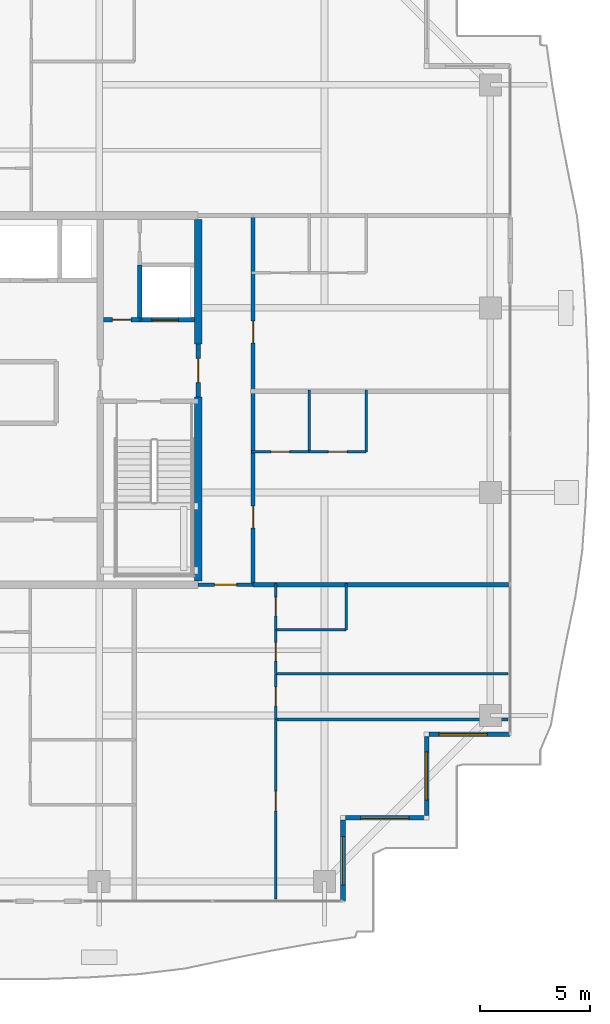
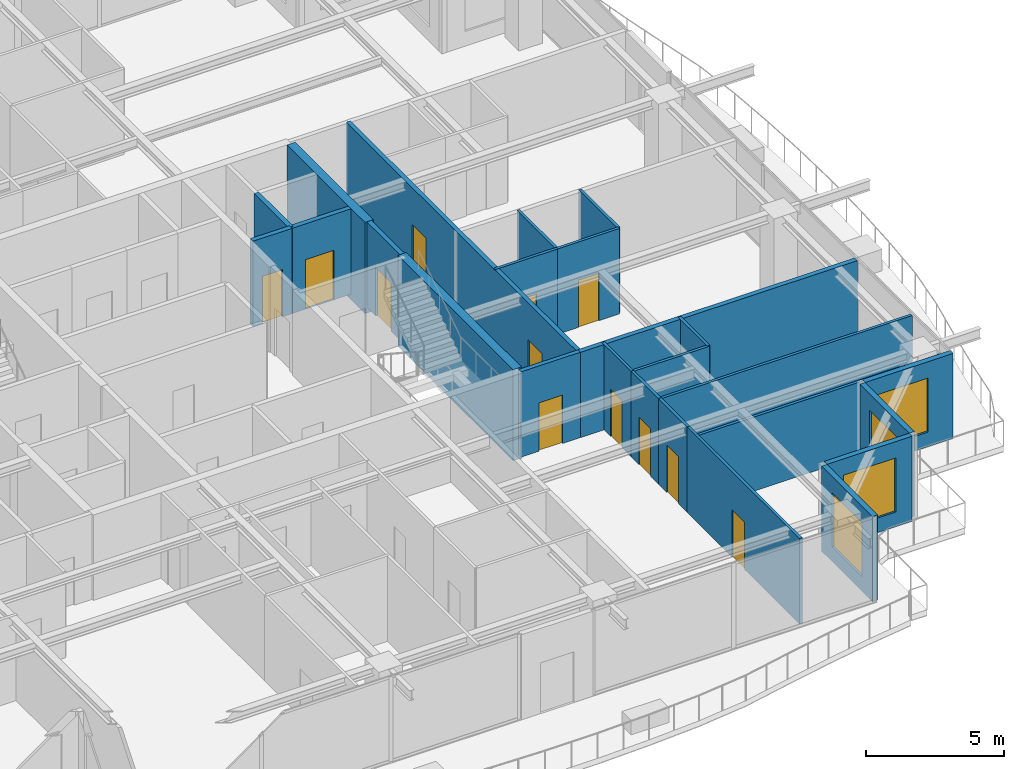
# One storey, part 33 of 42: 25 walls, 12 doors, 4 windows, 16 openings.
"""IFC4 building model written with IfcOpenShell, lengths in metres."""

from ifc_helpers import new_model, si_unit, direction, frame, frame_2d, origin, place, context, subcontext, project, spatial, rectangle, extrude, source, transform, mapped, material, layer, layer_set, type_object, element, fill, save


model = new_model("IFC4")

# Units and contexts
model_context = context("Model", 3, precision=1e-05, world=origin(), true_north=direction((0.0, 1.0)))
body_context = subcontext(model_context, "Body", "Model", "MODEL_VIEW")
ifc_project = project(units=[si_unit("LENGTHUNIT", "METRE"), si_unit("AREAUNIT", "SQUARE_METRE"), si_unit("VOLUMEUNIT", "CUBIC_METRE"), si_unit("PLANEANGLEUNIT", "RADIAN"), si_unit("MASSUNIT", "GRAM", prefix="KILO")], contexts=[model_context])

# Site, building, storey
site_placement = place(None, origin())
site = spatial("IfcSite", under=ifc_project, at=site_placement, CompositionType="ELEMENT")
building_placement = place(site_placement, origin())
building = spatial("IfcBuilding", under=site, at=building_placement, Name="Serunith Strait Residences", CompositionType="ELEMENT")
storey_placement = place(building_placement, frame((0.0, 0.0, 309.64990234375)))
storey = spatial("IfcBuildingStorey", under=building, at=storey_placement, Name="L77", CompositionType="ELEMENT", Elevation=309.64990234375)

# Wall, opening, window
ifc_material_1 = material(Name="Pale-Champagne Aluminium Insulated Panel", Category="aluminium")
ifc_layer_1 = layer(ifc_material_1, 0.219970703125, Name="Pale-Champagne Aluminium Insulated Panel")
ifc_layer_set_1 = layer_set([ifc_layer_1], Name="Pale-Champagne Aluminium Insulated Panel")
wall_type_1 = type_object("IfcWallType", Name="EW-ALUM-220", PredefinedType="ELEMENTEDWALL", material=ifc_layer_set_1)
wall_1_placement = place(storey_placement, frame((48.0, 2.39990234375, 0.0), z_axis=(0.0, 0.0, 1.0), x_axis=(0.0, 1.0, 0.0)))
wall_1 = element("IfcWall", 1, at=wall_1_placement, inside=storey, type_object=wall_type_1, Name="L77 Girih Serrated Corner Wall 02", PredefinedType="ELEMENTEDWALL", context=body_context, shape_type="SweptSolid", body=[
    extrude(rectangle(XDim=3.690185546875, YDim=0.219970703125, at=frame_2d((1.84521484375, 0.0))), origin(), (0.0, 0.0, 1.0), 3.775146484375),
])
opening_1_placement = place(wall_1_placement, frame((0.7451171875, 0.0, 0.64990234375)))
opening_1 = element("IfcOpeningElement", 2, at=opening_1_placement, cuts=wall_1, Name="Opening W-06", PredefinedType="OPENING", context=body_context, shape_type="SweptSolid", body=[
    extrude(rectangle(XDim=2.199951171875, YDim=2.39990234375, at=frame_2d((1.10009765625, 1.199951171875))), frame((0.0, 0.1201171875, 0.0), z_axis=(0.0, -1.0, 0.0), x_axis=(1.0, 0.0, 0.0)), (0.0, 0.0, 1.0), 0.239990234375),
])
ifc_material_2 = material(Name="Crown Penthouse Low-E Operable Window Glass", Category="glass")
window_type = type_object("IfcWindowType", Name="WIN-C6", PartitioningType="TRIPLE_PANEL_VERTICAL", PredefinedType="WINDOW", material=ifc_material_2)
shared_shape_1 = source(origin(), body_context, "Body", "SweptSolid", [
    extrude(rectangle(XDim=2.199951171875, YDim=2.39990234375, at=frame_2d((1.10009765625, 1.199951171875))), frame((0.0, 0.030029296875, 0.0), z_axis=(0.0, -1.0, 0.0), x_axis=(1.0, 0.0, 0.0)), (0.0, 0.0, 1.0), 0.06005859375),
])
window_1_placement = place(opening_1_placement, origin())
window_1 = element("IfcWindow", 3, at=window_1_placement, inside=storey, type_object=window_type, Name="L77 Corner Operable Fritted Window 02", OverallHeight=2.39990234375, OverallWidth=2.199951171875, PartitioningType="SINGLE_PANEL", PredefinedType="WINDOW", context=body_context, shape_type="MappedRepresentation", body=[
    mapped(shared_shape_1, transform((0.0, 0.0, 0.0), scale=1.0)),
])
fill(opening_1, window_1)

wall_2_placement = place(storey_placement, frame((48.110107421875, 6.199951171875, 0.0), z_axis=(0.0, 0.0, 1.0), x_axis=(1.0, 0.0, 0.0)))
wall_2 = element("IfcWall", 4, at=wall_2_placement, inside=storey, type_object=wall_type_1, Name="L77 Girih Serrated Corner Wall 03", PredefinedType="ELEMENTEDWALL", context=body_context, shape_type="SweptSolid", body=[
    extrude(rectangle(XDim=3.579833984375, YDim=0.219970703125, at=frame_2d((1.7900390625, 0.0))), origin(), (0.0, 0.0, 1.0), 3.775146484375),
])
opening_2_placement = place(wall_2_placement, frame((0.68994140625, 0.0, 0.64990234375)))
opening_2 = element("IfcOpeningElement", 5, at=opening_2_placement, cuts=wall_2, Name="Opening W-06", PredefinedType="OPENING", context=body_context, shape_type="SweptSolid", body=[
    extrude(rectangle(XDim=2.199951171875, YDim=2.39990234375, at=frame_2d((1.10009765625, 1.199951171875))), frame((0.0, 0.1201171875, 0.0), z_axis=(0.0, -1.0, 0.0), x_axis=(1.0, 0.0, 0.0)), (0.0, 0.0, 1.0), 0.239990234375),
])
window_2_placement = place(opening_2_placement, origin())
window_2 = element("IfcWindow", 6, at=window_2_placement, inside=storey, type_object=window_type, Name="L77 Corner Operable Fritted Window 03", OverallHeight=2.39990234375, OverallWidth=2.199951171875, PartitioningType="SINGLE_PANEL", PredefinedType="WINDOW", context=body_context, shape_type="MappedRepresentation", body=[
    mapped(shared_shape_1, transform((0.0, 0.0, 0.0), scale=1.0)),
])
fill(opening_2, window_2)

wall_3_placement = place(storey_placement, frame((51.800048828125, 6.31005859375, 0.0), z_axis=(0.0, 0.0, 1.0), x_axis=(0.0, 1.0, 0.0)))
wall_3 = element("IfcWall", 7, at=wall_3_placement, inside=storey, type_object=wall_type_1, Name="L77 Girih Serrated Corner Wall 04", PredefinedType="ELEMENTEDWALL", context=body_context, shape_type="SweptSolid", body=[
    extrude(rectangle(XDim=3.579833984375, YDim=0.219970703125, at=frame_2d((1.7900390625, 0.0))), origin(), (0.0, 0.0, 1.0), 3.775146484375),
])
opening_3_placement = place(wall_3_placement, frame((0.68994140625, 0.0, 0.64990234375)))
opening_3 = element("IfcOpeningElement", 8, at=opening_3_placement, cuts=wall_3, Name="Opening W-06", PredefinedType="OPENING", context=body_context, shape_type="SweptSolid", body=[
    extrude(rectangle(XDim=2.199951171875, YDim=2.39990234375, at=frame_2d((1.10009765625, 1.199951171875))), frame((0.0, 0.1201171875, 0.0), z_axis=(0.0, -1.0, 0.0), x_axis=(1.0, 0.0, 0.0)), (0.0, 0.0, 1.0), 0.239990234375),
])
window_3_placement = place(opening_3_placement, origin())
window_3 = element("IfcWindow", 9, at=window_3_placement, inside=storey, type_object=window_type, Name="L77 Corner Operable Fritted Window 04", OverallHeight=2.39990234375, OverallWidth=2.199951171875, PartitioningType="SINGLE_PANEL", PredefinedType="WINDOW", context=body_context, shape_type="MappedRepresentation", body=[
    mapped(shared_shape_1, transform((0.0, 0.0, 0.0), scale=1.0)),
])
fill(opening_3, window_3)

wall_4_placement = place(storey_placement, frame((51.909912109375, 10.0, 0.0), z_axis=(0.0, 0.0, 1.0), x_axis=(1.0, 0.0, 0.0)))
wall_4 = element("IfcWall", 10, at=wall_4_placement, inside=storey, type_object=wall_type_1, Name="L77 Girih Serrated Corner Wall 05", PredefinedType="ELEMENTEDWALL", context=body_context, shape_type="SweptSolid", body=[
    extrude(rectangle(XDim=3.690185546875, YDim=0.219970703125, at=frame_2d((1.84521484375, 0.0))), origin(), (0.0, 0.0, 1.0), 3.775146484375),
])
opening_4_placement = place(wall_4_placement, frame((0.447021484375, 0.0, 0.64990234375)))
opening_4 = element("IfcOpeningElement", 11, at=opening_4_placement, cuts=wall_4, Name="Opening W-06", PredefinedType="OPENING", context=body_context, shape_type="SweptSolid", body=[
    extrude(rectangle(XDim=2.199951171875, YDim=2.39990234375, at=frame_2d((1.10009765625, 1.199951171875))), frame((0.0, 0.1201171875, 0.0), z_axis=(0.0, -1.0, 0.0), x_axis=(1.0, 0.0, 0.0)), (0.0, 0.0, 1.0), 0.239990234375),
])
window_4_placement = place(opening_4_placement, origin())
window_4 = element("IfcWindow", 12, at=window_4_placement, inside=storey, type_object=window_type, Name="L77 Corner Operable Fritted Window 05", OverallHeight=2.39990234375, OverallWidth=2.199951171875, PartitioningType="SINGLE_PANEL", PredefinedType="WINDOW", context=body_context, shape_type="MappedRepresentation", body=[
    mapped(shared_shape_1, transform((0.0, 0.0, 0.0), scale=1.0)),
])
fill(opening_4, window_4)

# Wall, opening, door
ifc_material_3 = material(Name="Fire-rated acoustic gypsum partition")
ifc_layer_2 = layer(ifc_material_3, 0.179931640625, Name="Fire-rated acoustic gypsum partition")
ifc_layer_set_2 = layer_set([ifc_layer_2], Name="Fire-rated acoustic gypsum partition")
wall_type_2 = type_object("IfcWallType", Name="IW-CORR-180", PredefinedType="PARTITIONING", material=ifc_layer_set_2)
wall_5_placement = place(storey_placement, frame((41.402099609375, 16.800048828125, 0.0), z_axis=(0.0, 0.0, 1.0), x_axis=(1.0, 0.0, 0.0)))
wall_5 = element("IfcWall", 13, at=wall_5_placement, inside=storey, type_object=wall_type_2, Name="L77 Partition Wall 027", PredefinedType="PARTITIONING", context=body_context, shape_type="SweptSolid", body=[
    extrude(rectangle(XDim=2.495849609375, YDim=0.179931640625, at=frame_2d((1.248046875, 0.0))), origin(), (0.0, 0.0, 1.0), 3.7900390625),
])
opening_5_placement = place(wall_5_placement, frame((0.748046875, 0.0, 0.0)))
opening_5 = element("IfcOpeningElement", 14, at=opening_5_placement, cuts=wall_5, Name="Opening D-APT1000", PredefinedType="OPENING", context=body_context, shape_type="SweptSolid", body=[
    extrude(rectangle(XDim=1.0, YDim=2.14990234375, at=frame_2d((0.5, 1.074951171875))), frame((0.0, 0.10009765625, 0.0), z_axis=(0.0, -1.0, 0.0), x_axis=(1.0, 0.0, 0.0)), (0.0, 0.0, 1.0), 0.199951171875),
])
ifc_material_4 = material(Name="Solid timber engineered fire door", Category="wood")
door_type_1 = type_object("IfcDoorType", Name="ID-APT-1000", OperationType="NOTDEFINED", PredefinedType="DOOR", material=ifc_material_4)
shared_shape_2 = source(origin(), body_context, "Body", "SweptSolid", [
    extrude(rectangle(XDim=1.0, YDim=2.14990234375, at=frame_2d((0.5, 1.074951171875))), frame((0.0, 0.02490234375, 0.0), z_axis=(0.0, -1.0, 0.0), x_axis=(1.0, 0.0, 0.0)), (0.0, 0.0, 1.0), 0.050048828125),
])
door_1_placement = place(opening_5_placement, origin())
door_1 = element("IfcDoor", 15, at=door_1_placement, inside=storey, type_object=door_type_1, Name="L77 Unit 02 Entrance Door", OperationType="SINGLE_SWING_LEFT", OverallHeight=2.14990234375, OverallWidth=1.0, PredefinedType="DOOR", context=body_context, shape_type="MappedRepresentation", body=[
    mapped(shared_shape_2, transform((0.0, 0.0, 0.0), scale=1.0)),
])
fill(opening_5, door_1)

# Wall, openings, doors
wall_6_placement = place(storey_placement, frame((43.89990234375, 16.800048828125, 0.0), z_axis=(0.0, 0.0, 1.0), x_axis=(0.0, 1.0, 0.0)))
wall_6 = element("IfcWall", 16, at=wall_6_placement, inside=storey, type_object=wall_type_2, Name="L77 Partition Wall 029", PredefinedType="PARTITIONING", context=body_context, shape_type="SweptSolid", body=[
    extrude(rectangle(XDim=16.800048828125, YDim=0.179931640625, at=frame_2d((8.39990234375, 0.0))), origin(), (0.0, 0.0, 1.0), 3.7900390625),
])
opening_6_placement = place(wall_6_placement, frame((2.574951171875, 0.0, 0.0)))
opening_6 = element("IfcOpeningElement", 17, at=opening_6_placement, cuts=wall_6, Name="Opening D-APT1000", PredefinedType="OPENING", context=body_context, shape_type="SweptSolid", body=[
    extrude(rectangle(XDim=1.0, YDim=2.14990234375, at=frame_2d((0.5, 1.074951171875))), frame((0.0, 0.10009765625, 0.0), z_axis=(0.0, -1.0, 0.0), x_axis=(1.0, 0.0, 0.0)), (0.0, 0.0, 1.0), 0.199951171875),
])
opening_7_placement = place(wall_6_placement, frame((10.9970703125, 0.0, 0.0)))
opening_7 = element("IfcOpeningElement", 18, at=opening_7_placement, cuts=wall_6, Name="Opening D-APT1000", PredefinedType="OPENING", context=body_context, shape_type="SweptSolid", body=[
    extrude(rectangle(XDim=1.0, YDim=2.14990234375, at=frame_2d((0.5, 1.074951171875))), frame((0.0, 0.10009765625, 0.0), z_axis=(0.0, -1.0, 0.0), x_axis=(1.0, 0.0, 0.0)), (0.0, 0.0, 1.0), 0.199951171875),
])
door_2_placement = place(opening_6_placement, origin())
door_2 = element("IfcDoor", 19, at=door_2_placement, inside=storey, type_object=door_type_1, Name="L77 Unit 05 Entrance Door", OperationType="SINGLE_SWING_RIGHT", OverallHeight=2.14990234375, OverallWidth=1.0, PredefinedType="DOOR", context=body_context, shape_type="MappedRepresentation", body=[
    mapped(shared_shape_2, transform((0.0, 0.0, 0.0), scale=1.0)),
])
fill(opening_6, door_2)
door_3_placement = place(opening_7_placement, origin())
door_3 = element("IfcDoor", 20, at=door_3_placement, inside=storey, type_object=door_type_1, Name="L77 Unit 06 Entrance Door", OperationType="SINGLE_SWING_LEFT", OverallHeight=2.14990234375, OverallWidth=1.0, PredefinedType="DOOR", context=body_context, shape_type="MappedRepresentation", body=[
    mapped(shared_shape_2, transform((0.0, 0.0, 0.0), scale=1.0)),
])
fill(opening_7, door_3)

# Wall, opening, door
ifc_material_5 = material(Name="Lightweight steel-stud gypsum partition", Category="steel")
ifc_layer_3 = layer(ifc_material_5, 0.1201171875, Name="Lightweight steel-stud gypsum partition")
ifc_layer_set_3 = layer_set([ifc_layer_3], Name="Lightweight steel-stud gypsum partition")
wall_type_3 = type_object("IfcWallType", Name="IW-PART-120", PredefinedType="PARTITIONING", material=ifc_layer_set_3)
wall_7_placement = place(storey_placement, frame((44.93994140625, 2.4951171875, 0.0), z_axis=(0.0, 0.0, 1.0), x_axis=(0.0, 1.0, 0.0)))
wall_7 = element("IfcWall", 21, at=wall_7_placement, inside=storey, type_object=wall_type_3, Name="L77 Partition Wall 051", PredefinedType="PARTITIONING", context=body_context, shape_type="SweptSolid", body=[
    extrude(rectangle(XDim=8.177001953125, YDim=0.1201171875, at=frame_2d((4.08837890625, 0.0))), origin(), (0.0, 0.0, 1.0), 3.7900390625),
])
opening_8_placement = place(wall_7_placement, frame((4.001953125, 0.0, 0.0)))
opening_8 = element("IfcOpeningElement", 22, at=opening_8_placement, cuts=wall_7, Name="Opening D-RM900", PredefinedType="OPENING", context=body_context, shape_type="SweptSolid", body=[
    extrude(rectangle(XDim=0.89990234375, YDim=2.10009765625, at=frame_2d((0.449951171875, 1.050048828125))), frame((0.0, 0.070068359375, 0.0), z_axis=(0.0, -1.0, 0.0), x_axis=(1.0, 0.0, 0.0)), (0.0, 0.0, 1.0), 0.14013671875),
])
ifc_material_6 = material(Name="Engineered timber flush bedroom door", Category="wood")
door_type_2 = type_object("IfcDoorType", Name="ID-ROOM-900", OperationType="NOTDEFINED", PredefinedType="DOOR", material=ifc_material_6)
shared_shape_3 = source(origin(), body_context, "Body", "SweptSolid", [
    extrude(rectangle(XDim=0.89990234375, YDim=2.10009765625, at=frame_2d((0.449951171875, 1.050048828125))), frame((0.0, 0.02490234375, 0.0), z_axis=(0.0, -1.0, 0.0), x_axis=(1.0, 0.0, 0.0)), (0.0, 0.0, 1.0), 0.050048828125),
])
door_4_placement = place(opening_8_placement, origin())
door_4 = element("IfcDoor", 23, at=door_4_placement, inside=storey, type_object=door_type_2, Name="L77 Master Bedroom 1 7702 Door", OperationType="SINGLE_SWING_LEFT", OverallHeight=2.10009765625, OverallWidth=0.89990234375, PredefinedType="DOOR", context=body_context, shape_type="MappedRepresentation", body=[
    mapped(shared_shape_3, transform((0.0, 0.0, 0.0), scale=1.0)),
])
fill(opening_8, door_4)

# Walls
wall_8_placement = place(storey_placement, frame((44.93994140625, 10.672119140625, 0.0), z_axis=(0.0, 0.0, 1.0), x_axis=(1.0, 0.0, 0.0)))
element("IfcWall", 24, at=wall_8_placement, inside=storey, type_object=wall_type_3, Name="L77 Partition Wall 052", PredefinedType="PARTITIONING", context=body_context, shape_type="SweptSolid", body=[
    extrude(rectangle(XDim=10.56494140625, YDim=0.1201171875, at=frame_2d((5.282470703125, 0.0))), origin(), (0.0, 0.0, 1.0), 3.2919921875),
])
wall_9_placement = place(storey_placement, frame((44.93994140625, 12.75, 0.0), z_axis=(0.0, 0.0, 1.0), x_axis=(1.0, 0.0, 0.0)))
element("IfcWall", 25, at=wall_9_placement, inside=storey, type_object=wall_type_3, Name="L77 Partition Wall 053", PredefinedType="PARTITIONING", context=body_context, shape_type="SweptSolid", body=[
    extrude(rectangle(XDim=10.56494140625, YDim=0.1201171875, at=frame_2d((5.282470703125, 0.0))), origin(), (0.0, 0.0, 1.0), 3.7900390625),
])
wall_10_placement = place(storey_placement, frame((44.93994140625, 14.75, 0.0), z_axis=(0.0, 0.0, 1.0), x_axis=(1.0, 0.0, 0.0)))
element("IfcWall", 26, at=wall_10_placement, inside=storey, type_object=wall_type_3, Name="L77 Partition Wall 054", PredefinedType="PARTITIONING", context=body_context, shape_type="SweptSolid", body=[
    extrude(rectangle(XDim=3.199951171875, YDim=0.1201171875, at=frame_2d((1.60009765625, 0.0))), origin(), (0.0, 0.0, 1.0), 3.7900390625),
])
wall_11_placement = place(storey_placement, frame((48.139892578125, 14.75, 0.0), z_axis=(0.0, 0.0, 1.0), x_axis=(0.0, 1.0, 0.0)))
element("IfcWall", 27, at=wall_11_placement, inside=storey, type_object=wall_type_3, Name="L77 Partition Wall 055", PredefinedType="PARTITIONING", context=body_context, shape_type="SweptSolid", body=[
    extrude(rectangle(XDim=2.110107421875, YDim=0.1201171875, at=frame_2d((1.05517578125, 0.0))), origin(), (0.0, 0.0, 1.0), 3.7900390625),
])

# Wall, opening, door
wall_12_placement = place(storey_placement, frame((44.93994140625, 10.674072265625, 0.0), z_axis=(0.0, 0.0, 1.0), x_axis=(0.0, 1.0, 0.0)))
wall_12 = element("IfcWall", 28, at=wall_12_placement, inside=storey, type_object=wall_type_3, Name="L77 Partition Wall 056", PredefinedType="PARTITIONING", context=body_context, shape_type="SweptSolid", body=[
    extrude(rectangle(XDim=2.075927734375, YDim=0.1201171875, at=frame_2d((1.0380859375, 0.0))), origin(), (0.0, 0.0, 1.0), 3.7900390625),
])
opening_9_placement = place(wall_12_placement, frame((0.613037109375, 0.0, 0.0)))
opening_9 = element("IfcOpeningElement", 29, at=opening_9_placement, cuts=wall_12, Name="Opening D-RM850", PredefinedType="OPENING", context=body_context, shape_type="SweptSolid", body=[
    extrude(rectangle(XDim=0.85009765625, YDim=2.10009765625, at=frame_2d((0.425048828125, 1.050048828125))), frame((0.0, 0.070068359375, 0.0), z_axis=(0.0, -1.0, 0.0), x_axis=(1.0, 0.0, 0.0)), (0.0, 0.0, 1.0), 0.14013671875),
])
ifc_material_7 = material(Name="Engineered timber flush study and kitchen door", Category="wood")
door_type_3 = type_object("IfcDoorType", Name="ID-ROOM-850", OperationType="NOTDEFINED", PredefinedType="DOOR", material=ifc_material_7)
shared_shape_4 = source(origin(), body_context, "Body", "SweptSolid", [
    extrude(rectangle(XDim=0.85009765625, YDim=2.10009765625, at=frame_2d((0.425048828125, 1.050048828125))), frame((0.0, 0.02490234375, 0.0), z_axis=(0.0, -1.0, 0.0), x_axis=(1.0, 0.0, 0.0)), (0.0, 0.0, 1.0), 0.050048828125),
])
door_5_placement = place(opening_9_placement, origin())
door_5 = element("IfcDoor", 30, at=door_5_placement, inside=storey, type_object=door_type_3, Name="L77 Dining 7702 Door", OperationType="SINGLE_SWING_RIGHT", OverallHeight=2.10009765625, OverallWidth=0.85009765625, PredefinedType="DOOR", context=body_context, shape_type="MappedRepresentation", body=[
    mapped(shared_shape_4, transform((0.0, 0.0, 0.0), scale=1.0)),
])
fill(opening_9, door_5)

wall_13_placement = place(storey_placement, frame((44.93994140625, 12.751953125, 0.0), z_axis=(0.0, 0.0, 1.0), x_axis=(0.0, 1.0, 0.0)))
wall_13 = element("IfcWall", 31, at=wall_13_placement, inside=storey, type_object=wall_type_3, Name="L77 Partition Wall 057", PredefinedType="PARTITIONING", context=body_context, shape_type="SweptSolid", body=[
    extrude(rectangle(XDim=1.998046875, YDim=0.1201171875, at=frame_2d((0.9990234375, 0.0))), origin(), (0.0, 0.0, 1.0), 3.7900390625),
])
opening_10_placement = place(wall_13_placement, frame((0.573974609375, 0.0, 0.0)))
opening_10 = element("IfcOpeningElement", 32, at=opening_10_placement, cuts=wall_13, Name="Opening D-RM850", PredefinedType="OPENING", context=body_context, shape_type="SweptSolid", body=[
    extrude(rectangle(XDim=0.85009765625, YDim=2.10009765625, at=frame_2d((0.425048828125, 1.050048828125))), frame((0.0, 0.070068359375, 0.0), z_axis=(0.0, -1.0, 0.0), x_axis=(1.0, 0.0, 0.0)), (0.0, 0.0, 1.0), 0.14013671875),
])
door_6_placement = place(opening_10_placement, origin())
door_6 = element("IfcDoor", 33, at=door_6_placement, inside=storey, type_object=door_type_3, Name="L77 Kitchen 7702 Door", OperationType="SINGLE_SWING_LEFT", OverallHeight=2.10009765625, OverallWidth=0.85009765625, PredefinedType="DOOR", context=body_context, shape_type="MappedRepresentation", body=[
    mapped(shared_shape_4, transform((0.0, 0.0, 0.0), scale=1.0)),
])
fill(opening_10, door_6)

wall_14_placement = place(storey_placement, frame((44.93994140625, 14.751953125, 0.0), z_axis=(0.0, 0.0, 1.0), x_axis=(0.0, 1.0, 0.0)))
wall_14 = element("IfcWall", 34, at=wall_14_placement, inside=storey, type_object=wall_type_3, Name="L77 Partition Wall 058", PredefinedType="PARTITIONING", context=body_context, shape_type="SweptSolid", body=[
    extrude(rectangle(XDim=2.108154296875, YDim=0.1201171875, at=frame_2d((1.05419921875, 0.0))), origin(), (0.0, 0.0, 1.0), 3.7900390625),
])
opening_11_placement = place(wall_14_placement, frame((0.62890625, 0.0, 0.0)))
opening_11 = element("IfcOpeningElement", 35, at=opening_11_placement, cuts=wall_14, Name="Opening D-BTH850", PredefinedType="OPENING", context=body_context, shape_type="SweptSolid", body=[
    extrude(rectangle(XDim=0.85009765625, YDim=2.10009765625, at=frame_2d((0.425048828125, 1.050048828125))), frame((0.0, 0.070068359375, 0.0), z_axis=(0.0, -1.0, 0.0), x_axis=(1.0, 0.0, 0.0)), (0.0, 0.0, 1.0), 0.14013671875),
])
ifc_material_8 = material(Name="Moisture-resistant timber bathroom door", Category="wood")
door_type_4 = type_object("IfcDoorType", Name="ID-BATH-850", OperationType="NOTDEFINED", PredefinedType="DOOR", material=ifc_material_8)
door_7_placement = place(opening_11_placement, origin())
door_7 = element("IfcDoor", 36, at=door_7_placement, inside=storey, type_object=door_type_4, Name="L77 Bathroom 7702 Door", OperationType="SINGLE_SWING_RIGHT", OverallHeight=2.10009765625, OverallWidth=0.85009765625, PredefinedType="DOOR", context=body_context, shape_type="MappedRepresentation", body=[
    mapped(shared_shape_4, transform((0.0, 0.0, 0.0), scale=1.0)),
])
fill(opening_11, door_7)

wall_15_placement = place(storey_placement, frame((49.050048828125, 22.85009765625, 0.0), z_axis=(0.0, 0.0, 1.0), x_axis=(-1.0, 0.0, 0.0)))
wall_15 = element("IfcWall", 37, at=wall_15_placement, inside=storey, type_object=wall_type_3, Name="L77 Partition Wall 089", PredefinedType="PARTITIONING", context=body_context, shape_type="SweptSolid", body=[
    extrude(rectangle(XDim=2.60009765625, YDim=0.1201171875, at=frame_2d((1.300048828125, 0.0))), origin(), (0.0, 0.0, 1.0), 3.7900390625),
])
opening_12_placement = place(wall_15_placement, frame((0.875, 0.0, 0.0)))
opening_12 = element("IfcOpeningElement", 38, at=opening_12_placement, cuts=wall_15, Name="Opening D-RM850", PredefinedType="OPENING", context=body_context, shape_type="SweptSolid", body=[
    extrude(rectangle(XDim=0.85009765625, YDim=2.10009765625, at=frame_2d((0.425048828125, 1.050048828125))), frame((0.0, 0.070068359375, 0.0), z_axis=(0.0, -1.0, 0.0), x_axis=(1.0, 0.0, 0.0)), (0.0, 0.0, 1.0), 0.14013671875),
])
door_8_placement = place(opening_12_placement, origin())
door_8 = element("IfcDoor", 39, at=door_8_placement, inside=storey, type_object=door_type_3, Name="L77 Kitchen 7705 Door", OperationType="SINGLE_SWING_RIGHT", OverallHeight=2.10009765625, OverallWidth=0.85009765625, PredefinedType="DOOR", context=body_context, shape_type="MappedRepresentation", body=[
    mapped(shared_shape_4, transform((0.0, 0.0, 0.0), scale=1.0)),
])
fill(opening_12, door_8)

wall_16_placement = place(storey_placement, frame((46.447998046875, 22.85009765625, 0.0), z_axis=(0.0, 0.0, 1.0), x_axis=(-1.0, 0.0, 0.0)))
wall_16 = element("IfcWall", 40, at=wall_16_placement, inside=storey, type_object=wall_type_3, Name="L77 Partition Wall 090", PredefinedType="PARTITIONING", context=body_context, shape_type="SweptSolid", body=[
    extrude(rectangle(XDim=2.60791015625, YDim=0.1201171875, at=frame_2d((1.303955078125, 0.0))), origin(), (0.0, 0.0, 1.0), 3.7900390625),
])
opening_13_placement = place(wall_16_placement, frame((0.87890625, 0.0, 0.0)))
opening_13 = element("IfcOpeningElement", 41, at=opening_13_placement, cuts=wall_16, Name="Opening D-BTH850", PredefinedType="OPENING", context=body_context, shape_type="SweptSolid", body=[
    extrude(rectangle(XDim=0.85009765625, YDim=2.10009765625, at=frame_2d((0.425048828125, 1.050048828125))), frame((0.0, 0.070068359375, 0.0), z_axis=(0.0, -1.0, 0.0), x_axis=(1.0, 0.0, 0.0)), (0.0, 0.0, 1.0), 0.14013671875),
])
door_9_placement = place(opening_13_placement, origin())
door_9 = element("IfcDoor", 42, at=door_9_placement, inside=storey, type_object=door_type_4, Name="L77 Bathroom 7705 Door", OperationType="SINGLE_SWING_LEFT", OverallHeight=2.10009765625, OverallWidth=0.85009765625, PredefinedType="DOOR", context=body_context, shape_type="MappedRepresentation", body=[
    mapped(shared_shape_4, transform((0.0, 0.0, 0.0), scale=1.0)),
])
fill(opening_13, door_9)

# Walls
for number, where, z_axis, x_axis, name in (
    (43, (46.449951171875, 22.85009765625, 0.0), (0.0, 0.0, 1.0), (0.0, 1.0, 0.0), "L77 Partition Wall 091"),
    (44, (49.050048828125, 22.85009765625, 0.0), (0.0, 0.0, 1.0), (0.0, 1.0, 0.0), "L77 Partition Wall 092"),
):
    element("IfcWall", number, at=place(storey_placement, frame(where, z_axis=z_axis, x_axis=x_axis)), inside=storey, type_object=wall_type_3, Name=name, PredefinedType="PARTITIONING", context=body_context, shape_type="SweptSolid", body=[
        extrude(rectangle(XDim=2.809814453125, YDim=0.1201171875, at=frame_2d((1.40478515625, 0.0))), origin(), (0.0, 0.0, 1.0), 3.7900390625),
    ])
ifc_material_9 = material(Name="Twin-stud acoustic gypsum board partition")
ifc_layer_4 = layer(ifc_material_9, 0.199951171875, Name="Twin-stud acoustic gypsum board partition")
ifc_layer_set_4 = layer_set([ifc_layer_4], Name="Twin-stud acoustic gypsum board partition")
wall_type_4 = type_object("IfcWallType", Name="IW-PARTY-200", PredefinedType="PARTITIONING", material=ifc_layer_set_4)
wall_17_placement = place(storey_placement, frame((43.89990234375, 16.800048828125, 0.0), z_axis=(0.0, 0.0, 1.0), x_axis=(1.0, 0.0, 0.0)))
element("IfcWall", 45, at=wall_17_placement, inside=storey, type_object=wall_type_4, Name="L77 Partition Wall 021", PredefinedType="PARTITIONING", context=body_context, shape_type="SweptSolid", body=[
    extrude(rectangle(XDim=11.6181640625, YDim=0.199951171875, at=frame_2d((5.80908203125, 0.0))), origin(), (0.0, 0.0, 1.0), 3.7900390625),
])

# Wall, opening, door
ifc_material_10 = material(Name="Autoclaved aerated concrete blockwork", Category="masonry")
ifc_layer_5 = layer(ifc_material_10, 0.199951171875, Name="Autoclaved aerated concrete blockwork")
ifc_layer_set_5 = layer_set([ifc_layer_5], Name="Autoclaved aerated concrete blockwork")
wall_type_5 = type_object("IfcWallType", Name="IW-SHAFT-200", PredefinedType="STANDARD", material=ifc_layer_set_5)
wall_18_placement = place(storey_placement, frame((38.75, 28.85009765625, 0.0), z_axis=(0.0, 0.0, 1.0), x_axis=(1.0, 0.0, 0.0)))
wall_18 = element("IfcWall", 46, at=wall_18_placement, inside=storey, type_object=wall_type_5, Name="L77 FL-2 South Shaft Wall", PredefinedType="STANDARD", context=body_context, shape_type="SweptSolid", body=[
    extrude(rectangle(XDim=2.47509765625, YDim=0.199951171875, at=frame_2d((1.237548828125, 0.0))), origin(), (0.0, 0.0, 1.0), 3.7900390625),
])
opening_14_placement = place(wall_18_placement, frame((0.550048828125, 0.0, 0.0)))
opening_14 = element("IfcOpeningElement", 47, at=opening_14_placement, cuts=wall_18, Name="Opening LD-FF1200", PredefinedType="OPENING", context=body_context, shape_type="SweptSolid", body=[
    extrude(rectangle(XDim=1.199951171875, YDim=2.199951171875, at=frame_2d((0.60009765625, 1.10009765625))), frame((0.0, 0.10986328125, 0.0), z_axis=(0.0, -1.0, 0.0), x_axis=(1.0, 0.0, 0.0)), (0.0, 0.0, 1.0), 0.219970703125),
])
ifc_material_11 = material(Name="Brushed stainless steel landing door", Category="steel")
door_type_5 = type_object("IfcDoorType", Name="LD-FF-1200", OperationType="DOUBLE_DOOR_SLIDING", PredefinedType="DOOR", material=ifc_material_11)
shared_shape_5 = source(origin(), body_context, "Body", "SweptSolid", [
    extrude(rectangle(XDim=1.199951171875, YDim=2.199951171875, at=frame_2d((0.60009765625, 1.10009765625))), frame((0.0, 0.02490234375, 0.0), z_axis=(0.0, -1.0, 0.0), x_axis=(1.0, 0.0, 0.0)), (0.0, 0.0, 1.0), 0.050048828125),
])
door_10_placement = place(opening_14_placement, origin())
door_10 = element("IfcDoor", 48, at=door_10_placement, inside=storey, type_object=door_type_5, Name="L77 FL-2 Landing Door", OperationType="DOUBLE_DOOR_SLIDING", OverallHeight=2.199951171875, OverallWidth=1.199951171875, PredefinedType="DOOR", context=body_context, shape_type="MappedRepresentation", body=[
    mapped(shared_shape_5, transform((0.0, 0.0, 0.0), scale=1.0)),
])
fill(opening_14, door_10)

# Wall
wall_19_placement = place(storey_placement, frame((38.75, 28.85009765625, 0.0), z_axis=(0.0, 0.0, 1.0), x_axis=(0.0, 1.0, 0.0)))
element("IfcWall", 49, at=wall_19_placement, inside=storey, type_object=wall_type_5, Name="L77 Partition Wall 004", PredefinedType="STANDARD", context=body_context, shape_type="SweptSolid", body=[
    extrude(rectangle(XDim=2.5, YDim=0.199951171875, at=frame_2d((1.25, 0.0))), origin(), (0.0, 0.0, 1.0), 3.7900390625),
])

# Wall, opening, door
wall_20_placement = place(storey_placement, frame((37.10009765625, 28.85009765625, 0.0), z_axis=(0.0, 0.0, 1.0), x_axis=(1.0, 0.0, 0.0)))
wall_20 = element("IfcWall", 50, at=wall_20_placement, inside=storey, type_object=wall_type_5, Name="L77 Partition Wall 006", PredefinedType="STANDARD", context=body_context, shape_type="SweptSolid", body=[
    extrude(rectangle(XDim=1.64794921875, YDim=0.199951171875, at=frame_2d((0.823974609375, 0.0))), origin(), (0.0, 0.0, 1.0), 3.7900390625),
])
opening_15_placement = place(wall_20_placement, frame((0.39892578125, 0.0, 0.0)))
opening_15 = element("IfcOpeningElement", 51, at=opening_15_placement, cuts=wall_20, Name="Opening FD-850", PredefinedType="OPENING", context=body_context, shape_type="SweptSolid", body=[
    extrude(rectangle(XDim=0.85009765625, YDim=2.10009765625, at=frame_2d((0.425048828125, 1.050048828125))), frame((0.0, 0.10986328125, 0.0), z_axis=(0.0, -1.0, 0.0), x_axis=(1.0, 0.0, 0.0)), (0.0, 0.0, 1.0), 0.219970703125),
])
ifc_material_12 = material(Name="Powder-coated steel service closet door", Category="steel")
door_type_6 = type_object("IfcDoorType", Name="FD-BOH-850", OperationType="NOTDEFINED", PredefinedType="DOOR", material=ifc_material_12)
door_11_placement = place(opening_15_placement, origin())
door_11 = element("IfcDoor", 52, at=door_11_placement, inside=storey, type_object=door_type_6, Name="L77 North-East Core Service Door", OperationType="SINGLE_SWING_LEFT", OverallHeight=2.10009765625, OverallWidth=0.85009765625, PredefinedType="DOOR", context=body_context, shape_type="MappedRepresentation", body=[
    mapped(shared_shape_4, transform((0.0, 0.0, 0.0), scale=1.0)),
])
fill(opening_15, door_11)

wall_21_placement = place(storey_placement, frame((41.39990234375, 25.35205078125, 0.0), z_axis=(0.0, 0.0, 1.0), x_axis=(0.0, 1.0, 0.0)))
wall_21 = element("IfcWall", 53, at=wall_21_placement, inside=storey, type_object=wall_type_5, Name="L77 Partition Wall 008", PredefinedType="STANDARD", context=body_context, shape_type="SweptSolid", body=[
    extrude(rectangle(XDim=2.39599609375, YDim=0.199951171875, at=frame_2d((1.197998046875, 0.0))), origin(), (0.0, 0.0, 1.0), 3.7900390625),
])
opening_16_placement = place(wall_21_placement, frame((0.64794921875, 0.0, 0.0)))
opening_16 = element("IfcOpeningElement", 54, at=opening_16_placement, cuts=wall_21, Name="Opening FD-FFL", PredefinedType="OPENING", context=body_context, shape_type="SweptSolid", body=[
    extrude(rectangle(XDim=1.10009765625, YDim=2.14990234375, at=frame_2d((0.550048828125, 1.074951171875))), frame((0.0, 0.10986328125, 0.0), z_axis=(0.0, -1.0, 0.0), x_axis=(1.0, 0.0, 0.0)), (0.0, 0.0, 1.0), 0.219970703125),
])
ifc_material_13 = material(Name="Glazed steel smoke-lobby fire door", Category="steel")
door_type_7 = type_object("IfcDoorType", Name="FD-FFL-1100", OperationType="NOTDEFINED", PredefinedType="DOOR", material=ifc_material_13)
shared_shape_6 = source(origin(), body_context, "Body", "SweptSolid", [
    extrude(rectangle(XDim=1.10009765625, YDim=2.14990234375, at=frame_2d((0.550048828125, 1.074951171875))), frame((0.0, 0.02490234375, 0.0), z_axis=(0.0, -1.0, 0.0), x_axis=(1.0, 0.0, 0.0)), (0.0, 0.0, 1.0), 0.050048828125),
])
door_12_placement = place(opening_16_placement, origin())
door_12 = element("IfcDoor", 55, at=door_12_placement, inside=storey, type_object=door_type_7, Name="L77 FFL-2 Corridor Fire Door", OperationType="SINGLE_SWING_LEFT", OverallHeight=2.14990234375, OverallWidth=1.10009765625, PredefinedType="DOOR", context=body_context, shape_type="MappedRepresentation", body=[
    mapped(shared_shape_6, transform((0.0, 0.0, 0.0), scale=1.0)),
])
fill(opening_16, door_12)

# Walls
ifc_material_14 = material(Name="Concrete C60/75", Category="concrete")
ifc_layer_6 = layer(ifc_material_14, 0.35009765625, Name="Concrete C60/75")
ifc_layer_set_6 = layer_set([ifc_layer_6], Name="Concrete C60/75")
wall_type_6 = type_object("IfcWallType", Name="SW-350-C60", PredefinedType="SHEAR", material=ifc_layer_set_6)
wall_22_placement = place(storey_placement, frame((41.39990234375, 16.97509765625, -0.260009765625), z_axis=(0.0, 0.0, 1.0), x_axis=(0.0, 1.0, 0.0)))
element("IfcWall", 56, at=wall_22_placement, inside=storey, type_object=wall_type_6, Name="L77 Core East Shear Wall South Pier", PredefinedType="SHEAR", context=body_context, shape_type="SweptSolid", body=[
    extrude(rectangle(XDim=8.375, YDim=0.35009765625, at=frame_2d((4.1875, 0.0))), origin(), (0.0, 0.0, 1.0), 4.048095703125),
])
wall_23_placement = place(storey_placement, frame((41.39990234375, 27.75, -0.260009765625), z_axis=(0.0, 0.0, 1.0), x_axis=(0.0, 1.0, 0.0)))
element("IfcWall", 57, at=wall_23_placement, inside=storey, type_object=wall_type_6, Name="L77 Core East Shear Wall North Pier", PredefinedType="SHEAR", context=body_context, shape_type="SweptSolid", body=[
    extrude(rectangle(XDim=5.675048828125, YDim=0.35009765625, at=frame_2d((2.83740234375, 0.0))), origin(), (0.0, 0.0, 1.0), 4.048095703125),
])

save(model, "model.ifc")
